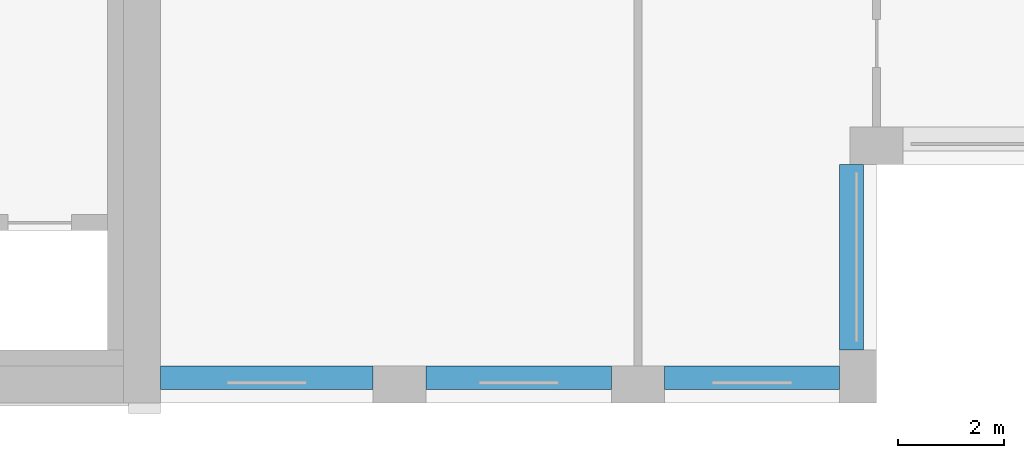
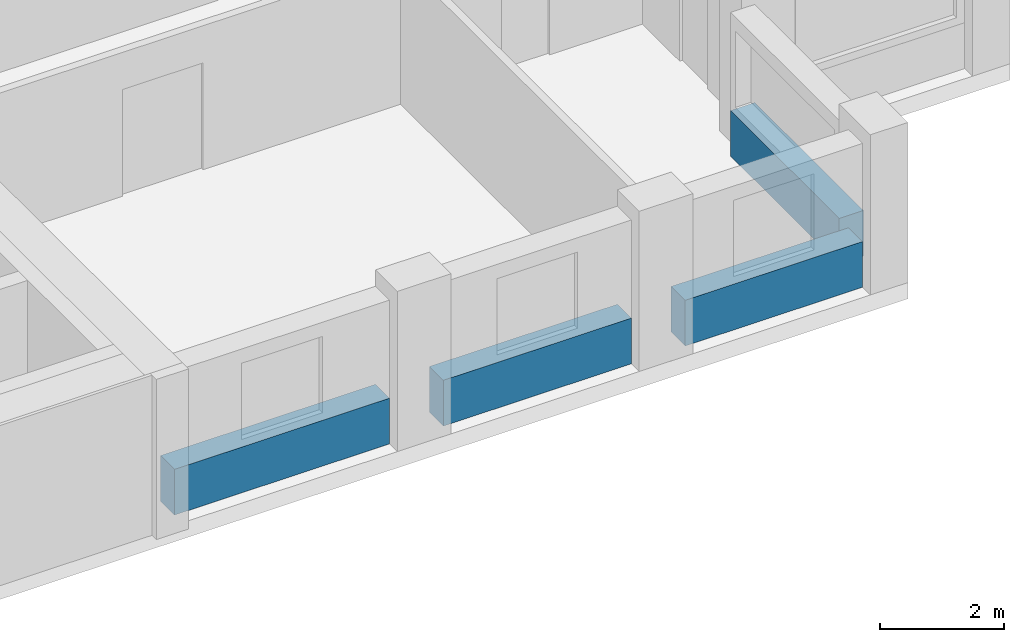
# One storey, part 3 of 16: 4 beams.
"""IFC4 building model written with IfcOpenShell, lengths in metres."""

import ifcopenshell
import ifcopenshell.guid

model = None  # the IFC model being written
_history = None  # IfcOwnerHistory: only IFC2X3 demands one
_inside = {}  # id of a spatial element -> (the spatial element, [elements in it])
_under = {}  # id of a project, library or spatial element -> (it, [spatial elements below it])
_declared = {}  # id of a project -> (the project, [libraries it declares])
_typed = {}  # id of a type object -> (the type object, [elements of that type])
_made_of = {}  # id of a material, layer set ... -> (it, [elements and type objects made of it])


def new_model(schema):
    """Start an empty IFC model of exactly this schema.

    Asked for "IFC4X3", IfcOpenShell would pick the latest addendum, in which some entities
    have other attributes; the version numbers below select the first issue.
    IFC2X3 requires an IfcOwnerHistory on every rooted entity: one is made here for all.
    """
    global model, _history
    if schema == "IFC4X3":
        model = ifcopenshell.file(schema_version=(4, 3, 0, 0))
    else:
        model = ifcopenshell.file(schema=schema)
    _inside.clear()
    _under.clear()
    _declared.clear()
    _typed.clear()
    _made_of.clear()
    _history = None
    if model.schema == "IFC2X3":
        org = make("IfcOrganization", Name="unknown")
        user = make(
            "IfcPersonAndOrganization",
            ThePerson=make("IfcPerson", FamilyName="unknown"),
            TheOrganization=org,
        )
        app = make(
            "IfcApplication",
            ApplicationDeveloper=org,
            Version="unknown",
            ApplicationFullName="unknown",
            ApplicationIdentifier="unknown",
        )
        _history = make(
            "IfcOwnerHistory",
            OwningUser=user,
            OwningApplication=app,
            ChangeAction="ADDED",
            CreationDate=0,
        )
    return model


def make(cls, **values):
    """One entity of the class cls with the attributes given. An attribute that is None is left unset."""
    return model.create_entity(
        cls, **{name: value for name, value in values.items() if value is not None}
    )


def rooted(cls, **values):
    """An entity with a GlobalId (a new one), such as an element, a storey or a relation."""
    return make(cls, GlobalId=ifcopenshell.guid.new(), OwnerHistory=_history, **values)


def si_unit(unit_type, name, prefix=None):
    """IfcSIUnit, for example si_unit("LENGTHUNIT", "METRE", prefix="MILLI")."""
    return make("IfcSIUnit", UnitType=unit_type, Prefix=prefix, Name=name)


def assignment(units):
    """IfcUnitAssignment: the units of a project."""
    return None if units is None else make("IfcUnitAssignment", Units=units)


def point(xyz):
    """IfcCartesianPoint."""
    return None if xyz is None else make("IfcCartesianPoint", Coordinates=xyz)


def direction(xyz):
    """IfcDirection."""
    return None if xyz is None else make("IfcDirection", DirectionRatios=xyz)


def frame(location, z_axis=None, x_axis=None):
    """IfcAxis2Placement3D, a coordinate frame: its origin and axes. An axis left out is left unset."""
    return make(
        "IfcAxis2Placement3D",
        Location=point(location),
        Axis=direction(z_axis),
        RefDirection=direction(x_axis),
    )


def frame_2d(location, x_axis=None):
    """IfcAxis2Placement2D, a coordinate frame in the plane: its origin and x axis."""
    return make(
        "IfcAxis2Placement2D", Location=point(location), RefDirection=direction(x_axis)
    )


def origin():
    """The frame at (0, 0, 0) with its axes left unset."""
    return frame((0.0, 0.0, 0.0))


def origin_2d():
    """The frame at (0, 0) in the plane with its x axis left unset."""
    return frame_2d((0.0, 0.0))


def place(relative_to, where):
    """IfcLocalPlacement: puts the frame where relative to a parent placement (None: the world)."""
    return make(
        "IfcLocalPlacement", PlacementRelTo=relative_to, RelativePlacement=where
    )


def context(
    kind, dimensions, precision=None, world=None, true_north=None, identifier=None
):
    """IfcGeometricRepresentationContext, for example the 3D "Model" context."""
    return make(
        "IfcGeometricRepresentationContext",
        ContextIdentifier=identifier,
        ContextType=kind,
        CoordinateSpaceDimension=dimensions,
        Precision=precision,
        WorldCoordinateSystem=world,
        TrueNorth=true_north,
    )


def subcontext(parent, identifier, kind, view, scale=None):
    """IfcGeometricRepresentationSubContext, for example "Body" below "Model"."""
    return make(
        "IfcGeometricRepresentationSubContext",
        ContextIdentifier=identifier,
        ContextType=kind,
        ParentContext=parent,
        TargetScale=scale,
        TargetView=view,
    )


def project(units=None, contexts=None):
    """IfcProject with its units and contexts."""
    return rooted(
        "IfcProject",
        Name="project",
        RepresentationContexts=contexts,
        UnitsInContext=assignment(units),
    )


def spatial(cls, under=None, at=None, **own):
    """A site, building, storey or space (cls), placed at a placement, below another one or the project."""
    s = rooted(cls, ObjectPlacement=at, **own)
    if under is not None:
        _under.setdefault(under.id(), (under, []))[1].append(s)
    return s


def profile(cls, at=None, kind="AREA", **sizes):
    """A parametric profile (cls). Its sizes go by their IFC names, for example OverallWidth=200.0."""
    return make(cls, ProfileType=kind, Position=at, **sizes)


def rectangle(**sizes):
    """IfcRectangleProfileDef."""
    return profile("IfcRectangleProfileDef", **sizes)


def extrude(swept, where, along, depth):
    """IfcExtrudedAreaSolid: the profile swept, set in the frame where, extruded along a direction by depth."""
    return make(
        "IfcExtrudedAreaSolid",
        SweptArea=swept,
        Position=where,
        ExtrudedDirection=direction(along),
        Depth=depth,
    )


def shape(context_of_items, identifier, shape_type, items):
    """IfcShapeRepresentation: the items that make up one representation, for example the "Body"."""
    return make(
        "IfcShapeRepresentation",
        ContextOfItems=context_of_items,
        RepresentationIdentifier=identifier,
        RepresentationType=shape_type,
        Items=items,
    )


def material(Name=None, Category=None):
    """IfcMaterial."""
    return make("IfcMaterial", Name=Name, Category=Category)


def material_profile(
    of_material, cross_section, Name=None, Category=None, Priority=None
):
    """IfcMaterialProfile: a cross section and its material."""
    return make(
        "IfcMaterialProfile",
        Name=Name,
        Material=of_material,
        Profile=cross_section,
        Priority=Priority,
        Category=Category,
    )


def profile_set(profiles, Name=None, composite=None):
    """IfcMaterialProfileSet."""
    return make(
        "IfcMaterialProfileSet",
        Name=Name,
        MaterialProfiles=profiles,
        CompositeProfile=composite,
    )


def made_of(thing, what):
    """Note that an element or type object is made of a material, layer set ...; save() writes the relation."""
    if what is not None:
        _made_of.setdefault(what.id(), (what, []))[1].append(thing)
    return thing


def type_object(cls, material=None, **own):
    """A type object (cls), such as IfcWallType, which elements share."""
    return made_of(rooted(cls, **own), material)


def element(
    cls,
    number,
    at=None,
    inside=None,
    cuts=None,
    type_object=None,
    material=None,
    context=None,
    identifier="Body",
    shape_type=None,
    held_by="IfcProductDefinitionShape",
    body=None,
    shapes=None,
    **own,
):
    """One element of the class cls, such as IfcWall. Its Tag is "e" and its number.

    at: its placement. inside: the storey or other place that contains it. cuts: it is an
    opening in that element (IfcRelVoidsElement). A single representation is given by context,
    identifier, shape_type and body (its items); several are given by shapes. held_by: the class
    of the entity that holds the representations. save() writes the other relations.
    """
    e = rooted(cls, Tag="e%d" % number, ObjectPlacement=at, **own)
    if body is not None:
        shapes = [shape(context, identifier, shape_type, body)]
    if shapes is not None:
        e.Representation = make(held_by, Representations=shapes)
    if inside is not None:
        _inside.setdefault(inside.id(), (inside, []))[1].append(e)
    if cuts is not None:
        rooted(
            "IfcRelVoidsElement", RelatingBuildingElement=cuts, RelatedOpeningElement=e
        )
    if type_object is not None:
        _typed.setdefault(type_object.id(), (type_object, []))[1].append(e)
    return made_of(e, material)


def aggregate(whole, parts):
    """IfcRelAggregates: a whole, such as a stair, and the parts it consists of."""
    return rooted("IfcRelAggregates", RelatingObject=whole, RelatedObjects=parts)


def save(model, path):
    """Write the relations noted so far, then the file.

    IfcRelAggregates (storeys below a building ...), IfcRelContainedInSpatialStructure (elements
    in a storey), IfcRelDefinesByType, IfcRelAssociatesMaterial and IfcRelDeclares: one each for
    every whole, place, type object, material and project.
    """
    for whole, parts in _under.values():
        aggregate(whole, parts)
    for where, things in _inside.values():
        rooted(
            "IfcRelContainedInSpatialStructure",
            RelatedElements=things,
            RelatingStructure=where,
        )
    for kind, things in _typed.values():
        rooted("IfcRelDefinesByType", RelatedObjects=things, RelatingType=kind)
    for what, things in _made_of.values():
        rooted("IfcRelAssociatesMaterial", RelatedObjects=things, RelatingMaterial=what)
    for by, libraries in _declared.values():
        rooted("IfcRelDeclares", RelatingContext=by, RelatedDefinitions=libraries)
    model.write(path)


model = new_model("IFC4")

# Units and contexts
model_context = context("Model", 3, precision=1e-05, world=origin(), true_north=direction((0.0, 1.0)))
body_context = subcontext(model_context, "Body", "Model", "MODEL_VIEW")
ifc_project = project(units=[si_unit("LENGTHUNIT", "METRE"), si_unit("AREAUNIT", "SQUARE_METRE"), si_unit("VOLUMEUNIT", "CUBIC_METRE"), si_unit("PLANEANGLEUNIT", "RADIAN"), si_unit("MASSUNIT", "GRAM", prefix="KILO")], contexts=[model_context])

# Site, building, storey
site_placement = place(None, origin())
site = spatial("IfcSite", under=ifc_project, at=site_placement, CompositionType="ELEMENT")
building_placement = place(site_placement, origin())
building = spatial("IfcBuilding", under=site, at=building_placement, Name="Brigalow Station Residences", CompositionType="ELEMENT")
storey_placement = place(building_placement, frame((0.0, 0.0, 163.35009765625)))
storey = spatial("IfcBuildingStorey", under=building, at=storey_placement, Name="L47", CompositionType="ELEMENT", Elevation=163.35009765625)

# Beams
ifc_material = material(Name="Concrete C50", Category="concrete")
ifc_material_profile = material_profile(ifc_material, rectangle(XDim=0.449951171875, YDim=0.89990234375, at=origin_2d()), Name="RC450x900")
ifc_profile_set = profile_set([ifc_material_profile], Name="Concrete C50")
beam_type = type_object("IfcBeamType", Name="SPANDREL BEAM 450x900 C50", PredefinedType="SPANDREL", material=ifc_profile_set)
beam_1_placement = place(storey_placement, frame((54.0, 0.47509765625, 0.449951171875), z_axis=(1.0, 0.0, 0.0), x_axis=(0.0, 1.0, 0.0)))
element("IfcBeam", 1, at=beam_1_placement, inside=storey, type_object=beam_type, Name="L47/spandrel/W-L47-4", PredefinedType="SPANDREL", context=body_context, shape_type="SweptSolid", body=[
    extrude(rectangle(XDim=0.449951171875, YDim=0.89990234375, at=origin_2d()), origin(), (0.0, 0.0, 1.0), 4.0),
])
beam_2_placement = place(storey_placement, frame((59.0, 0.47509765625, 0.449951171875), z_axis=(1.0, 0.0, 0.0), x_axis=(0.0, 1.0, 0.0)))
element("IfcBeam", 2, at=beam_2_placement, inside=storey, type_object=beam_type, Name="L47/spandrel/W-L47-5", PredefinedType="SPANDREL", context=body_context, shape_type="SweptSolid", body=[
    extrude(rectangle(XDim=0.449951171875, YDim=0.89990234375, at=origin_2d()), origin(), (0.0, 0.0, 1.0), 3.5),
])
beam_3_placement = place(storey_placement, frame((63.5, 0.47509765625, 0.449951171875), z_axis=(1.0, 0.0, 0.0), x_axis=(0.0, 1.0, 0.0)))
element("IfcBeam", 3, at=beam_3_placement, inside=storey, type_object=beam_type, Name="L47/spandrel/W-L47-6", PredefinedType="SPANDREL", context=body_context, shape_type="SweptSolid", body=[
    extrude(rectangle(XDim=0.449951171875, YDim=0.89990234375, at=origin_2d()), origin(), (0.0, 0.0, 1.0), 3.300048828125),
])
beam_4_placement = place(storey_placement, frame((67.02490234375, 1.0, 0.449951171875), z_axis=(0.0, 1.0, 0.0), x_axis=(-1.0, 0.0, 0.0)))
element("IfcBeam", 4, at=beam_4_placement, inside=storey, type_object=beam_type, Name="L47/spandrel/W-L47-7", PredefinedType="SPANDREL", context=body_context, shape_type="SweptSolid", body=[
    extrude(rectangle(XDim=0.449951171875, YDim=0.89990234375, at=origin_2d()), origin(), (0.0, 0.0, 1.0), 3.5),
])

save(model, "model.ifc")
